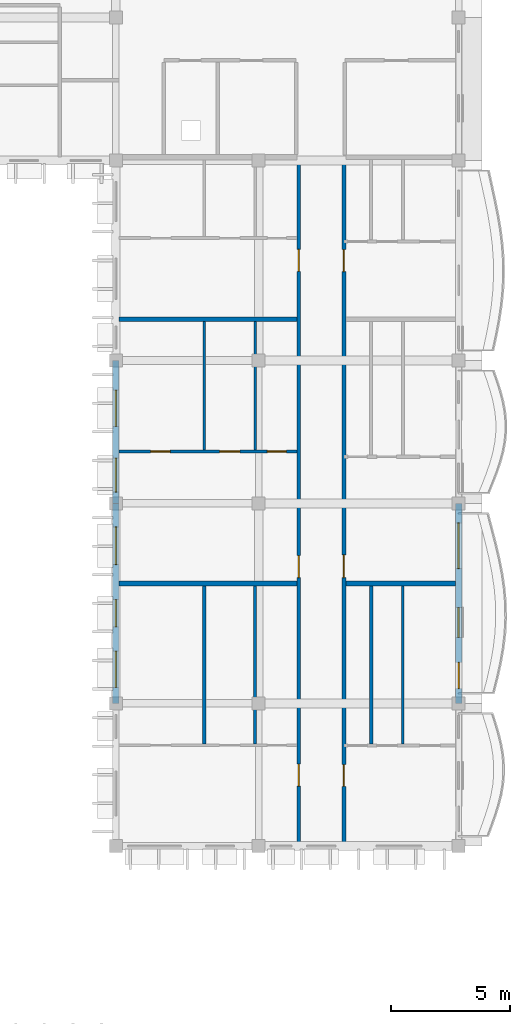
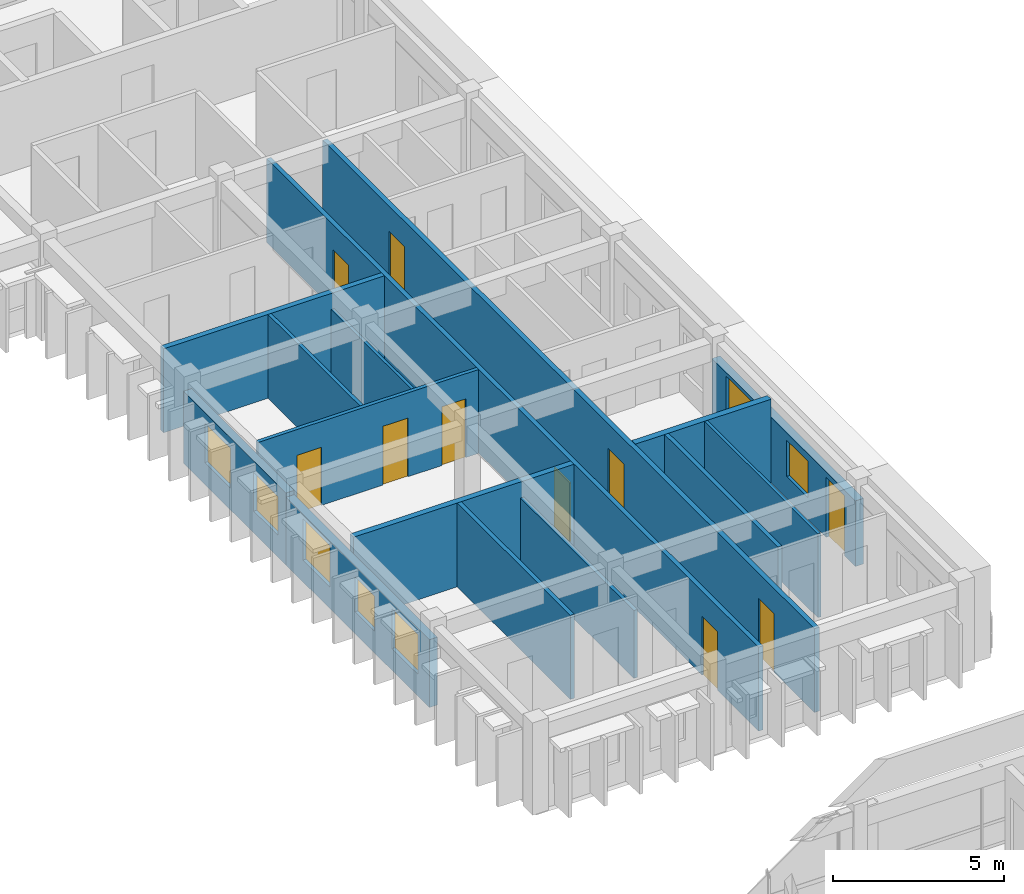
# One storey, part 31 of 59: 15 walls, 10 doors, 7 windows, 17 openings.
"""IFC4 building model written with IfcOpenShell, lengths in metres."""

from ifc_helpers import new_model, si_unit, direction, frame, frame_2d, origin, place, context, subcontext, project, spatial, rectangle, extrude, material, layer, layer_set, type_object, element, fill, save


model = new_model("IFC4")

# Units and contexts
model_context = context("Model", 3, precision=1e-05, world=origin(), true_north=direction((0.0, 1.0)))
body_context = subcontext(model_context, "Body", "Model", "MODEL_VIEW")
ifc_project = project(units=[si_unit("LENGTHUNIT", "METRE"), si_unit("AREAUNIT", "SQUARE_METRE"), si_unit("VOLUMEUNIT", "CUBIC_METRE"), si_unit("PLANEANGLEUNIT", "RADIAN"), si_unit("MASSUNIT", "GRAM", prefix="KILO"), si_unit("THERMODYNAMICTEMPERATUREUNIT", "KELVIN")], contexts=[model_context])

# Site, building, storey
site_placement = place(None, origin())
site = spatial("IfcSite", under=ifc_project, at=site_placement, CompositionType="ELEMENT")
building_placement = place(site_placement, origin())
building = spatial("IfcBuilding", under=site, at=building_placement, Name="Thalorik Housing Commons", CompositionType="ELEMENT")
storey_placement = place(building_placement, frame((0.0, 0.0, 27.89990234375)))
storey = spatial("IfcBuildingStorey", under=building, at=storey_placement, Name="L08", CompositionType="ELEMENT", Elevation=27.89990234375)

# Wall, openings, doors
ifc_material_1 = material(Name="Masonry fire-rated corridor wall", Category="masonry")
ifc_layer_1 = layer(ifc_material_1, 0.14990234375, Name="Masonry fire-rated corridor wall", Category="masonry")
ifc_layer_set_1 = layer_set([ifc_layer_1], Name="Masonry fire-rated corridor wall")
wall_type_1 = type_object("IfcWallType", Name="ARC-WAL-CORR-150", PredefinedType="PARTITIONING", material=ifc_layer_set_1)
wall_1_placement = place(storey_placement, frame((160.080078125, 80.53955078125, 0.0), z_axis=(0.0, 0.0, 1.0), x_axis=(0.0, 1.0, 0.0)))
wall_1 = element("IfcWall", 1, at=wall_1_placement, inside=storey, type_object=wall_type_1, Name="L08 Block B E Corridor Wall 1", PredefinedType="PARTITIONING", context=body_context, shape_type="SweptSolid", body=[
    extrude(rectangle(XDim=28.800537109375, YDim=0.14990234375, at=frame_2d((14.400390625, 0.0))), origin(), (0.0, 0.0, 1.0), 3.0),
])
opening_1_placement = place(wall_1_placement, frame((2.384521484375, 0.0, 0.0)))
opening_1 = element("IfcOpeningElement", 2, at=opening_1_placement, cuts=wall_1, Name="Opening ID-1376", PredefinedType="OPENING", context=body_context, shape_type="SweptSolid", body=[
    extrude(rectangle(XDim=0.919921875, YDim=2.10009765625, at=frame_2d((0.4599609375, 1.050048828125))), frame((0.0, 0.0849609375, 0.0), z_axis=(0.0, -1.0, 0.0), x_axis=(1.0, 0.0, 0.0)), (0.0, 0.0, 1.0), 0.169921875),
])
opening_2_placement = place(wall_1_placement, frame((11.140380859375, 0.0, 0.0)))
opening_2 = element("IfcOpeningElement", 3, at=opening_2_placement, cuts=wall_1, Name="Opening ID-1377", PredefinedType="OPENING", context=body_context, shape_type="SweptSolid", body=[
    extrude(rectangle(XDim=0.919921875, YDim=2.10009765625, at=frame_2d((0.4599609375, 1.050048828125))), frame((0.0, 0.0849609375, 0.0), z_axis=(0.0, -1.0, 0.0), x_axis=(1.0, 0.0, 0.0)), (0.0, 0.0, 1.0), 0.169921875),
])
opening_3_placement = place(wall_1_placement, frame((24.003173828125, 0.0, 0.0)))
opening_3 = element("IfcOpeningElement", 4, at=opening_3_placement, cuts=wall_1, Name="Opening ID-1378", PredefinedType="OPENING", context=body_context, shape_type="SweptSolid", body=[
    extrude(rectangle(XDim=0.919921875, YDim=2.10009765625, at=frame_2d((0.4599609375, 1.050048828125))), frame((0.0, 0.0849609375, 0.0), z_axis=(0.0, -1.0, 0.0), x_axis=(1.0, 0.0, 0.0)), (0.0, 0.0, 1.0), 0.169921875),
])
ifc_material_2 = material(Name="Solid core hardwood timber", Category="wood")
door_type_1 = type_object("IfcDoorType", Name="ARC-DR-FD30-920", OperationType="NOTDEFINED", PredefinedType="DOOR", material=ifc_material_2)
door_1_placement = place(opening_1_placement, origin())
door_1 = element("IfcDoor", 5, at=door_1_placement, inside=storey, type_object=door_type_1, Name="L08 Flat BE-1A Entrance Door", OperationType="SINGLE_SWING_LEFT", OverallHeight=2.10009765625, OverallWidth=0.919921875, PredefinedType="DOOR", context=body_context, shape_type="SweptSolid", body=[
    extrude(rectangle(XDim=0.919921875, YDim=2.10009765625, at=frame_2d((0.4599609375, 1.050048828125))), frame((0.0, 0.02490234375, 0.0), z_axis=(0.0, -1.0, 0.0), x_axis=(1.0, 0.0, 0.0)), (0.0, 0.0, 1.0), 0.050048828125),
])
fill(opening_1, door_1)
door_2_placement = place(opening_2_placement, origin())
door_2 = element("IfcDoor", 6, at=door_2_placement, inside=storey, type_object=door_type_1, Name="L08 Flat BE-2A Entrance Door", OperationType="SINGLE_SWING_RIGHT", OverallHeight=2.10009765625, OverallWidth=0.919921875, PredefinedType="DOOR", context=body_context, shape_type="SweptSolid", body=[
    extrude(rectangle(XDim=0.919921875, YDim=2.10009765625, at=frame_2d((0.4599609375, 1.050048828125))), frame((0.0, 0.02490234375, 0.0), z_axis=(0.0, -1.0, 0.0), x_axis=(1.0, 0.0, 0.0)), (0.0, 0.0, 1.0), 0.050048828125),
])
fill(opening_2, door_2)
door_3_placement = place(opening_3_placement, origin())
door_3 = element("IfcDoor", 7, at=door_3_placement, inside=storey, type_object=door_type_1, Name="L08 Flat BE-3A Entrance Door", OperationType="SINGLE_SWING_LEFT", OverallHeight=2.10009765625, OverallWidth=0.919921875, PredefinedType="DOOR", context=body_context, shape_type="SweptSolid", body=[
    extrude(rectangle(XDim=0.919921875, YDim=2.10009765625, at=frame_2d((0.4599609375, 1.050048828125))), frame((0.0, 0.02490234375, 0.0), z_axis=(0.0, -1.0, 0.0), x_axis=(1.0, 0.0, 0.0)), (0.0, 0.0, 1.0), 0.050048828125),
])
fill(opening_3, door_3)

ifc_layer_2 = layer(ifc_material_1, 0.1650390625, Name="Masonry fire-rated corridor wall", Category="masonry")
ifc_layer_set_2 = layer_set([ifc_layer_2], Name="Masonry fire-rated corridor wall")
wall_type_2 = type_object("IfcWallType", Name="ARC-WAL-CORR-165", PredefinedType="PARTITIONING", material=ifc_layer_set_2)
wall_2_placement = place(storey_placement, frame((161.97998046875, 80.53955078125, 0.0), z_axis=(0.0, 0.0, 1.0), x_axis=(0.0, 1.0, 0.0)))
wall_2 = element("IfcWall", 8, at=wall_2_placement, inside=storey, type_object=wall_type_2, Name="L08 Block B E Corridor Wall 2", PredefinedType="PARTITIONING", context=body_context, shape_type="SweptSolid", body=[
    extrude(rectangle(XDim=28.800537109375, YDim=0.1650390625, at=frame_2d((14.400390625, 0.0))), origin(), (0.0, 0.0, 1.0), 3.0),
])
opening_4_placement = place(wall_2_placement, frame((2.368896484375, 0.0, 0.0)))
opening_4 = element("IfcOpeningElement", 9, at=opening_4_placement, cuts=wall_2, Name="Opening ID-1379", PredefinedType="OPENING", context=body_context, shape_type="SweptSolid", body=[
    extrude(rectangle(XDim=0.919921875, YDim=2.10009765625, at=frame_2d((0.4599609375, 1.050048828125))), frame((0.0, 0.092529296875, 0.0), z_axis=(0.0, -1.0, 0.0), x_axis=(1.0, 0.0, 0.0)), (0.0, 0.0, 1.0), 0.18505859375),
])
opening_5_placement = place(wall_2_placement, frame((11.140380859375, 0.0, 0.0)))
opening_5 = element("IfcOpeningElement", 10, at=opening_5_placement, cuts=wall_2, Name="Opening ID-1380", PredefinedType="OPENING", context=body_context, shape_type="SweptSolid", body=[
    extrude(rectangle(XDim=0.9599609375, YDim=2.1201171875, at=frame_2d((0.47998046875, 1.06005859375))), frame((0.0, 0.092529296875, 0.0), z_axis=(0.0, -1.0, 0.0), x_axis=(1.0, 0.0, 0.0)), (0.0, 0.0, 1.0), 0.18505859375),
])
opening_6_placement = place(wall_2_placement, frame((23.992919921875, 0.0, 0.0)))
opening_6 = element("IfcOpeningElement", 11, at=opening_6_placement, cuts=wall_2, Name="Opening ID-1381", PredefinedType="OPENING", context=body_context, shape_type="SweptSolid", body=[
    extrude(rectangle(XDim=0.919921875, YDim=2.10009765625, at=frame_2d((0.4599609375, 1.050048828125))), frame((0.0, 0.092529296875, 0.0), z_axis=(0.0, -1.0, 0.0), x_axis=(1.0, 0.0, 0.0)), (0.0, 0.0, 1.0), 0.18505859375),
])
door_4_placement = place(opening_4_placement, origin())
door_4 = element("IfcDoor", 12, at=door_4_placement, inside=storey, type_object=door_type_1, Name="L08 Flat BE-1B Entrance Door", OperationType="SINGLE_SWING_RIGHT", OverallHeight=2.10009765625, OverallWidth=0.919921875, PredefinedType="DOOR", context=body_context, shape_type="SweptSolid", body=[
    extrude(rectangle(XDim=0.919921875, YDim=2.10009765625, at=frame_2d((0.4599609375, 1.050048828125))), frame((0.0, 0.02490234375, 0.0), z_axis=(0.0, -1.0, 0.0), x_axis=(1.0, 0.0, 0.0)), (0.0, 0.0, 1.0), 0.050048828125),
])
fill(opening_4, door_4)
door_5_placement = place(opening_6_placement, origin())
door_5 = element("IfcDoor", 13, at=door_5_placement, inside=storey, type_object=door_type_1, Name="L08 Flat BE-3B Entrance Door", OperationType="SINGLE_SWING_RIGHT", OverallHeight=2.10009765625, OverallWidth=0.919921875, PredefinedType="DOOR", context=body_context, shape_type="SweptSolid", body=[
    extrude(rectangle(XDim=0.919921875, YDim=2.10009765625, at=frame_2d((0.4599609375, 1.050048828125))), frame((0.0, 0.02490234375, 0.0), z_axis=(0.0, -1.0, 0.0), x_axis=(1.0, 0.0, 0.0)), (0.0, 0.0, 1.0), 0.050048828125),
])
fill(opening_6, door_5)
door_type_2 = type_object("IfcDoorType", Name="ARC-DR-FD30-960", OperationType="NOTDEFINED", PredefinedType="DOOR", material=ifc_material_2)
door_6_placement = place(opening_5_placement, origin())
door_6 = element("IfcDoor", 14, at=door_6_placement, inside=storey, type_object=door_type_2, Name="L08 Flat BE-2B Entrance Door", OperationType="SINGLE_SWING_LEFT", OverallHeight=2.1201171875, OverallWidth=0.9599609375, PredefinedType="DOOR", context=body_context, shape_type="SweptSolid", body=[
    extrude(rectangle(XDim=0.9599609375, YDim=2.1201171875, at=frame_2d((0.47998046875, 1.06005859375))), frame((0.0, 0.02490234375, 0.0), z_axis=(0.0, -1.0, 0.0), x_axis=(1.0, 0.0, 0.0)), (0.0, 0.0, 1.0), 0.050048828125),
])
fill(opening_5, door_6)

# Wall, openings, windows
ifc_material_3 = material(Name="White precast concrete C40/50", Category="concrete")
ifc_layer_3 = layer(ifc_material_3, 0.27490234375, Name="White precast concrete C40/50", Category="concrete")
ifc_layer_set_3 = layer_set([ifc_layer_3], Name="White precast concrete C40/50")
wall_type_3 = type_object("IfcWallType", Name="ARC-WAL-EXT-275", PredefinedType="STANDARD", material=ifc_layer_set_3)
wall_3_placement = place(storey_placement, frame((152.39990234375, 100.800048828125, 0.0), z_axis=(0.0, 0.0, 1.0), x_axis=(0.0, -1.0, 0.0)))
wall_3 = element("IfcWall", 15, at=wall_3_placement, inside=storey, type_object=wall_type_3, Name="L08 Exterior Wall WAL-EXT-L08-B-0698", PredefinedType="STANDARD", context=body_context, shape_type="SweptSolid", body=[
    extrude(rectangle(XDim=6.0, YDim=0.27490234375, at=frame_2d((3.0, 0.0))), origin(), (0.0, 0.0, 1.0), 2.5751953125),
])
opening_7_placement = place(wall_3_placement, frame((1.2451171875, 0.0, 0.780029296875)))
opening_7 = element("IfcOpeningElement", 16, at=opening_7_placement, cuts=wall_3, Name="Opening W-52", PredefinedType="OPENING", context=body_context, shape_type="SweptSolid", body=[
    extrude(rectangle(XDim=1.52001953125, YDim=1.419921875, at=frame_2d((0.760009765625, 0.7099609375))), frame((0.0, 0.1474609375, 0.0), z_axis=(0.0, -1.0, 0.0), x_axis=(1.0, 0.0, 0.0)), (0.0, 0.0, 1.0), 0.294921875),
])
opening_8_placement = place(wall_3_placement, frame((4.10498046875, 0.0, 0.780029296875)))
opening_8 = element("IfcOpeningElement", 17, at=opening_8_placement, cuts=wall_3, Name="Opening W-50", PredefinedType="OPENING", context=body_context, shape_type="SweptSolid", body=[
    extrude(rectangle(XDim=1.419921875, YDim=1.3798828125, at=frame_2d((0.7099609375, 0.68994140625))), frame((0.0, 0.1474609375, 0.0), z_axis=(0.0, -1.0, 0.0), x_axis=(1.0, 0.0, 0.0)), (0.0, 0.0, 1.0), 0.294921875),
])
ifc_material_4 = material(Name="Anodised aluminium and solar-control low-E glass", Category="aluminium")
window_type_1 = type_object("IfcWindowType", Name="ARC-WIN-50", PartitioningType="SINGLE_PANEL", PredefinedType="WINDOW", material=ifc_material_4)
window_1_placement = place(opening_8_placement, origin())
window_1 = element("IfcWindow", 18, at=window_1_placement, inside=storey, type_object=window_type_1, Name="L08 Facade Window 1282", OverallHeight=1.3798828125, OverallWidth=1.419921875, PartitioningType="SINGLE_PANEL", PredefinedType="WINDOW", context=body_context, shape_type="SweptSolid", body=[
    extrude(rectangle(XDim=1.419921875, YDim=1.3798828125, at=frame_2d((0.7099609375, 0.68994140625))), frame((0.0, 0.030029296875, 0.0), z_axis=(0.0, -1.0, 0.0), x_axis=(1.0, 0.0, 0.0)), (0.0, 0.0, 1.0), 0.06005859375),
])
fill(opening_8, window_1)
window_type_2 = type_object("IfcWindowType", Name="ARC-WIN-52", PartitioningType="SINGLE_PANEL", PredefinedType="WINDOW", material=ifc_material_4)
window_2_placement = place(opening_7_placement, origin())
window_2 = element("IfcWindow", 19, at=window_2_placement, inside=storey, type_object=window_type_2, Name="L08 Facade Window 1281", OverallHeight=1.419921875, OverallWidth=1.52001953125, PartitioningType="SINGLE_PANEL", PredefinedType="WINDOW", context=body_context, shape_type="SweptSolid", body=[
    extrude(rectangle(XDim=1.52001953125, YDim=1.419921875, at=frame_2d((0.760009765625, 0.7099609375))), frame((0.0, 0.030029296875, 0.0), z_axis=(0.0, -1.0, 0.0), x_axis=(1.0, 0.0, 0.0)), (0.0, 0.0, 1.0), 0.06005859375),
])
fill(opening_7, window_2)

wall_4_placement = place(storey_placement, frame((152.39990234375, 94.800048828125, 0.0), z_axis=(0.0, 0.0, 1.0), x_axis=(0.0, -1.0, 0.0)))
wall_4 = element("IfcWall", 20, at=wall_4_placement, inside=storey, type_object=wall_type_3, Name="L08 Exterior Wall WAL-EXT-L08-B-0699", PredefinedType="STANDARD", context=body_context, shape_type="SweptSolid", body=[
    extrude(rectangle(XDim=8.400146484375, YDim=0.27490234375, at=frame_2d((4.2001953125, 0.0))), origin(), (0.0, 0.0, 1.0), 2.425048828125),
])
opening_9_placement = place(wall_4_placement, frame((0.989990234375, 0.0, 0.780029296875)))
opening_9 = element("IfcOpeningElement", 21, at=opening_9_placement, cuts=wall_4, Name="Opening W-53", PredefinedType="OPENING", context=body_context, shape_type="SweptSolid", body=[
    extrude(rectangle(XDim=1.580078125, YDim=1.47998046875, at=frame_2d((0.7900390625, 0.739990234375))), frame((0.0, 0.1474609375, 0.0), z_axis=(0.0, -1.0, 0.0), x_axis=(1.0, 0.0, 0.0)), (0.0, 0.0, 1.0), 0.294921875),
])
opening_10_placement = place(wall_4_placement, frame((4.0400390625, 0.0, 0.780029296875)))
opening_10 = element("IfcOpeningElement", 22, at=opening_10_placement, cuts=wall_4, Name="Opening W-45", PredefinedType="OPENING", context=body_context, shape_type="SweptSolid", body=[
    extrude(rectangle(XDim=1.14990234375, YDim=1.25, at=frame_2d((0.574951171875, 0.625))), frame((0.0, 0.1474609375, 0.0), z_axis=(0.0, -1.0, 0.0), x_axis=(1.0, 0.0, 0.0)), (0.0, 0.0, 1.0), 0.294921875),
])
opening_11_placement = place(wall_4_placement, frame((6.205078125, 0.0, 0.780029296875)))
opening_11 = element("IfcOpeningElement", 23, at=opening_11_placement, cuts=wall_4, Name="Opening W-52", PredefinedType="OPENING", context=body_context, shape_type="SweptSolid", body=[
    extrude(rectangle(XDim=1.52001953125, YDim=1.419921875, at=frame_2d((0.760009765625, 0.7099609375))), frame((0.0, 0.1474609375, 0.0), z_axis=(0.0, -1.0, 0.0), x_axis=(1.0, 0.0, 0.0)), (0.0, 0.0, 1.0), 0.294921875),
])
window_type_3 = type_object("IfcWindowType", Name="ARC-WIN-45", PartitioningType="SINGLE_PANEL", PredefinedType="WINDOW", material=ifc_material_4)
window_3_placement = place(opening_10_placement, origin())
window_3 = element("IfcWindow", 24, at=window_3_placement, inside=storey, type_object=window_type_3, Name="L08 Facade Window 1284", OverallHeight=1.25, OverallWidth=1.14990234375, PartitioningType="SINGLE_PANEL", PredefinedType="WINDOW", context=body_context, shape_type="SweptSolid", body=[
    extrude(rectangle(XDim=1.14990234375, YDim=1.25, at=frame_2d((0.574951171875, 0.625))), frame((0.0, 0.030029296875, 0.0), z_axis=(0.0, -1.0, 0.0), x_axis=(1.0, 0.0, 0.0)), (0.0, 0.0, 1.0), 0.06005859375),
])
fill(opening_10, window_3)
window_4_placement = place(opening_11_placement, origin())
window_4 = element("IfcWindow", 25, at=window_4_placement, inside=storey, type_object=window_type_2, Name="L08 Facade Window 1285", OverallHeight=1.419921875, OverallWidth=1.52001953125, PartitioningType="SINGLE_PANEL", PredefinedType="WINDOW", context=body_context, shape_type="SweptSolid", body=[
    extrude(rectangle(XDim=1.52001953125, YDim=1.419921875, at=frame_2d((0.760009765625, 0.7099609375))), frame((0.0, 0.030029296875, 0.0), z_axis=(0.0, -1.0, 0.0), x_axis=(1.0, 0.0, 0.0)), (0.0, 0.0, 1.0), 0.06005859375),
])
fill(opening_11, window_4)
window_type_4 = type_object("IfcWindowType", Name="ARC-WIN-53", PartitioningType="SINGLE_PANEL", PredefinedType="WINDOW", material=ifc_material_4)
window_5_placement = place(opening_9_placement, origin())
window_5 = element("IfcWindow", 26, at=window_5_placement, inside=storey, type_object=window_type_4, Name="L08 Facade Window 1283", OverallHeight=1.47998046875, OverallWidth=1.580078125, PartitioningType="SINGLE_PANEL", PredefinedType="WINDOW", context=body_context, shape_type="SweptSolid", body=[
    extrude(rectangle(XDim=1.580078125, YDim=1.47998046875, at=frame_2d((0.7900390625, 0.739990234375))), frame((0.0, 0.030029296875, 0.0), z_axis=(0.0, -1.0, 0.0), x_axis=(1.0, 0.0, 0.0)), (0.0, 0.0, 1.0), 0.06005859375),
])
fill(opening_9, window_5)

# Wall, openings, door, windows
wall_5_placement = place(storey_placement, frame((166.800048828125, 86.39990234375, 0.0), z_axis=(0.0, 0.0, 1.0), x_axis=(0.0, 1.0, 0.0)))
wall_5 = element("IfcWall", 27, at=wall_5_placement, inside=storey, type_object=wall_type_3, Name="L08 Exterior Wall WAL-EXT-L08-B-0704", PredefinedType="STANDARD", context=body_context, shape_type="SweptSolid", body=[
    extrude(rectangle(XDim=8.400146484375, YDim=0.27490234375, at=frame_2d((4.2001953125, 0.0))), origin(), (0.0, 0.0, 1.0), 2.34521484375),
])
opening_12_placement = place(wall_5_placement, frame((0.6201171875, 0.0, 0.0)))
opening_12 = element("IfcOpeningElement", 28, at=opening_12_placement, cuts=wall_5, Name="Opening ED-0233", PredefinedType="OPENING", context=body_context, shape_type="SweptSolid", body=[
    extrude(rectangle(XDim=1.10009765625, YDim=2.14990234375, at=frame_2d((0.550048828125, 1.074951171875))), frame((0.0, 0.1474609375, 0.0), z_axis=(0.0, -1.0, 0.0), x_axis=(1.0, 0.0, 0.0)), (0.0, 0.0, 1.0), 0.294921875),
])
opening_13_placement = place(wall_5_placement, frame((2.77490234375, 0.0, 0.780029296875)))
opening_13 = element("IfcOpeningElement", 29, at=opening_13_placement, cuts=wall_5, Name="Opening W-46", PredefinedType="OPENING", context=body_context, shape_type="SweptSolid", body=[
    extrude(rectangle(XDim=1.25, YDim=1.300048828125, at=frame_2d((0.625, 0.64990234375))), frame((0.0, 0.1474609375, 0.0), z_axis=(0.0, -1.0, 0.0), x_axis=(1.0, 0.0, 0.0)), (0.0, 0.0, 1.0), 0.294921875),
])
opening_14_placement = place(wall_5_placement, frame((5.659912109375, 0.0, 0.780029296875)))
opening_14 = element("IfcOpeningElement", 30, at=opening_14_placement, cuts=wall_5, Name="Opening W-60", PredefinedType="OPENING", context=body_context, shape_type="SweptSolid", body=[
    extrude(rectangle(XDim=1.919921875, YDim=1.43994140625, at=frame_2d((0.9599609375, 0.719970703125))), frame((0.0, 0.1474609375, 0.0), z_axis=(0.0, -1.0, 0.0), x_axis=(1.0, 0.0, 0.0)), (0.0, 0.0, 1.0), 0.294921875),
])
ifc_material_5 = material(Name="Anodised aluminium and laminated safety glass", Category="aluminium")
door_type_3 = type_object("IfcDoorType", Name="ARC-DR-BAL-1100", OperationType="NOTDEFINED", PredefinedType="DOOR", material=ifc_material_5)
door_7_placement = place(opening_12_placement, frame((1.10009765625, 0.0, 0.0), z_axis=(0.0, 0.0, 1.0), x_axis=(-1.0, 0.0, 0.0)))
door_7 = element("IfcDoor", 31, at=door_7_placement, inside=storey, type_object=door_type_3, Name="L08 Block B Balcony Glazed Door", OperationType="SINGLE_SWING_RIGHT", OverallHeight=2.14990234375, OverallWidth=1.10009765625, PredefinedType="DOOR", context=body_context, shape_type="SweptSolid", body=[
    extrude(rectangle(XDim=1.10009765625, YDim=2.14990234375, at=frame_2d((0.550048828125, 1.074951171875))), frame((0.0, 0.02490234375, 0.0), z_axis=(0.0, -1.0, 0.0), x_axis=(1.0, 0.0, 0.0)), (0.0, 0.0, 1.0), 0.050048828125),
])
fill(opening_12, door_7)
window_type_5 = type_object("IfcWindowType", Name="ARC-WIN-46", PartitioningType="SINGLE_PANEL", PredefinedType="WINDOW", material=ifc_material_4)
window_6_placement = place(opening_13_placement, origin())
window_6 = element("IfcWindow", 32, at=window_6_placement, inside=storey, type_object=window_type_5, Name="L08 Facade Window 1295", OverallHeight=1.300048828125, OverallWidth=1.25, PartitioningType="SINGLE_PANEL", PredefinedType="WINDOW", context=body_context, shape_type="SweptSolid", body=[
    extrude(rectangle(XDim=1.25, YDim=1.300048828125, at=frame_2d((0.625, 0.64990234375))), frame((0.0, 0.030029296875, 0.0), z_axis=(0.0, -1.0, 0.0), x_axis=(1.0, 0.0, 0.0)), (0.0, 0.0, 1.0), 0.06005859375),
])
fill(opening_13, window_6)
window_type_6 = type_object("IfcWindowType", Name="ARC-WIN-60", PartitioningType="DOUBLE_PANEL_VERTICAL", PredefinedType="WINDOW", material=ifc_material_4)
window_7_placement = place(opening_14_placement, origin())
window_7 = element("IfcWindow", 33, at=window_7_placement, inside=storey, type_object=window_type_6, Name="L08 Facade Window 1296", OverallHeight=1.43994140625, OverallWidth=1.919921875, PartitioningType="DOUBLE_PANEL_VERTICAL", PredefinedType="WINDOW", context=body_context, shape_type="SweptSolid", body=[
    extrude(rectangle(XDim=1.919921875, YDim=1.43994140625, at=frame_2d((0.9599609375, 0.719970703125))), frame((0.0, 0.030029296875, 0.0), z_axis=(0.0, -1.0, 0.0), x_axis=(1.0, 0.0, 0.0)), (0.0, 0.0, 1.0), 0.06005859375),
])
fill(opening_14, window_7)

# Walls
ifc_material_6 = material(Name="Gypsum light stud partition", Category="masonry")
ifc_layer_4 = layer(ifc_material_6, 0.10009765625, Name="Gypsum light stud partition", Category="masonry")
ifc_layer_set_4 = layer_set([ifc_layer_4], Name="Gypsum light stud partition")
wall_type_4 = type_object("IfcWallType", Name="ARC-WAL-PART-100", PredefinedType="PARTITIONING", material=ifc_layer_set_4)
wall_6_placement = place(storey_placement, frame((164.455078125, 84.68505859375, 0.0), z_axis=(0.0, 0.0, 1.0), x_axis=(0.0, 1.0, 0.0)))
element("IfcWall", 34, at=wall_6_placement, inside=storey, type_object=wall_type_4, Name="L08 Unit 1B Bedroom Partition", PredefinedType="PARTITIONING", context=body_context, shape_type="SweptSolid", body=[
    extrude(rectangle(XDim=6.633056640625, YDim=0.10009765625, at=frame_2d((3.31640625, 0.0))), origin(), (0.0, 0.0, 1.0), 3.0),
])
wall_7_placement = place(storey_placement, frame((158.251220703125, 97.04443359375, 0.0), z_axis=(0.0, 0.0, 1.0), x_axis=(0.0, 1.0, 0.0)))
element("IfcWall", 35, at=wall_7_placement, inside=storey, type_object=wall_type_4, Name="L08 Unit 2 Wet Wall", PredefinedType="PARTITIONING", context=body_context, shape_type="SweptSolid", body=[
    extrude(rectangle(XDim=5.39111328125, YDim=0.10009765625, at=frame_2d((2.695556640625, 0.0))), origin(), (0.0, 0.0, 1.0), 2.425048828125),
])
ifc_material_7 = material(Name="Gypsum moisture-resistant partition", Category="masonry")
ifc_layer_5 = layer(ifc_material_7, 0.114990234375, Name="Gypsum moisture-resistant partition", Category="masonry")
ifc_layer_set_5 = layer_set([ifc_layer_5], Name="Gypsum moisture-resistant partition")
wall_type_5 = type_object("IfcWallType", Name="ARC-WAL-PART-115", PredefinedType="PARTITIONING", material=ifc_layer_set_5)
wall_8_placement = place(storey_placement, frame((156.11767578125, 97.04443359375, 0.0), z_axis=(0.0, 0.0, 1.0), x_axis=(0.0, 1.0, 0.0)))
element("IfcWall", 36, at=wall_8_placement, inside=storey, type_object=wall_type_5, Name="L08 Unit 2 Bedroom Partition", PredefinedType="PARTITIONING", context=body_context, shape_type="SweptSolid", body=[
    extrude(rectangle(XDim=5.39111328125, YDim=0.114990234375, at=frame_2d((2.695556640625, 0.0))), origin(), (0.0, 0.0, 1.0), 3.0),
])
ifc_material_8 = material(Name="Gypsum acoustic stud partition", Category="masonry")
ifc_layer_6 = layer(ifc_material_8, 0.125, Name="Gypsum acoustic stud partition", Category="masonry")
ifc_layer_set_6 = layer_set([ifc_layer_6], Name="Gypsum acoustic stud partition")
wall_type_6 = type_object("IfcWallType", Name="ARC-WAL-PART-125", PredefinedType="PARTITIONING", material=ifc_layer_set_6)
wall_9_placement = place(storey_placement, frame((158.251220703125, 84.697021484375, 0.0), z_axis=(0.0, 0.0, 1.0), x_axis=(0.0, 1.0, 0.0)))
element("IfcWall", 37, at=wall_9_placement, inside=storey, type_object=wall_type_6, Name="L08 Unit 1 Wet Wall", PredefinedType="PARTITIONING", context=body_context, shape_type="SweptSolid", body=[
    extrude(rectangle(XDim=6.630859375, YDim=0.125, at=frame_2d((3.3154296875, 0.0))), origin(), (0.0, 0.0, 1.0), 2.425048828125),
])

# Wall, openings, doors
wall_10_placement = place(storey_placement, frame((152.53955078125, 96.97998046875, 0.0), z_axis=(0.0, 0.0, 1.0), x_axis=(1.0, 0.0, 0.0)))
wall_10 = element("IfcWall", 38, at=wall_10_placement, inside=storey, type_object=wall_type_6, Name="L08 Unit 2 Spine Partition", PredefinedType="PARTITIONING", context=body_context, shape_type="SweptSolid", body=[
    extrude(rectangle(XDim=7.46337890625, YDim=0.125, at=frame_2d((3.731689453125, 0.0))), origin(), (0.0, 0.0, 1.0), 3.0),
])
opening_15_placement = place(wall_10_placement, frame((1.32421875, 0.0, 0.0)))
opening_15 = element("IfcOpeningElement", 39, at=opening_15_placement, cuts=wall_10, Name="Opening ID-1364", PredefinedType="OPENING", context=body_context, shape_type="SweptSolid", body=[
    extrude(rectangle(XDim=0.820068359375, YDim=2.080078125, at=frame_2d((0.41015625, 1.0400390625))), frame((0.0, 0.072509765625, 0.0), z_axis=(0.0, -1.0, 0.0), x_axis=(1.0, 0.0, 0.0)), (0.0, 0.0, 1.0), 0.14501953125),
])
opening_16_placement = place(wall_10_placement, frame((4.219970703125, 0.0, 0.0)))
opening_16 = element("IfcOpeningElement", 40, at=opening_16_placement, cuts=wall_10, Name="Opening ID-1365", PredefinedType="OPENING", context=body_context, shape_type="SweptSolid", body=[
    extrude(rectangle(XDim=0.85009765625, YDim=2.10009765625, at=frame_2d((0.425048828125, 1.050048828125))), frame((0.0, 0.072509765625, 0.0), z_axis=(0.0, -1.0, 0.0), x_axis=(1.0, 0.0, 0.0)), (0.0, 0.0, 1.0), 0.14501953125),
])
opening_17_placement = place(wall_10_placement, frame((6.22607421875, 0.0, 0.0)))
opening_17 = element("IfcOpeningElement", 41, at=opening_17_placement, cuts=wall_10, Name="Opening ID-1366", PredefinedType="OPENING", context=body_context, shape_type="SweptSolid", body=[
    extrude(rectangle(XDim=0.800048828125, YDim=2.10009765625, at=frame_2d((0.39990234375, 1.050048828125))), frame((0.0, 0.072509765625, 0.0), z_axis=(0.0, -1.0, 0.0), x_axis=(1.0, 0.0, 0.0)), (0.0, 0.0, 1.0), 0.14501953125),
])
ifc_material_9 = material(Name="Moisture-resistant timber", Category="wood")
door_type_4 = type_object("IfcDoorType", Name="ARC-DR-INT-800", OperationType="NOTDEFINED", PredefinedType="DOOR", material=ifc_material_9)
door_8_placement = place(opening_17_placement, origin())
door_8 = element("IfcDoor", 42, at=door_8_placement, inside=storey, type_object=door_type_4, Name="L08 Flat Bathroom Door", OperationType="SINGLE_SWING_LEFT", OverallHeight=2.10009765625, OverallWidth=0.800048828125, PredefinedType="DOOR", context=body_context, shape_type="SweptSolid", body=[
    extrude(rectangle(XDim=0.800048828125, YDim=2.10009765625, at=frame_2d((0.39990234375, 1.050048828125))), frame((0.0, 0.02490234375, 0.0), z_axis=(0.0, -1.0, 0.0), x_axis=(1.0, 0.0, 0.0)), (0.0, 0.0, 1.0), 0.050048828125),
])
fill(opening_17, door_8)
ifc_material_10 = material(Name="Engineered oak timber", Category="wood")
door_type_5 = type_object("IfcDoorType", Name="ARC-DR-INT-820", OperationType="NOTDEFINED", PredefinedType="DOOR", material=ifc_material_10)
door_9_placement = place(opening_15_placement, origin())
door_9 = element("IfcDoor", 43, at=door_9_placement, inside=storey, type_object=door_type_5, Name="L08 Double Bedroom Door", OperationType="SINGLE_SWING_LEFT", OverallHeight=2.080078125, OverallWidth=0.820068359375, PredefinedType="DOOR", context=body_context, shape_type="SweptSolid", body=[
    extrude(rectangle(XDim=0.820068359375, YDim=2.080078125, at=frame_2d((0.41015625, 1.0400390625))), frame((0.0, 0.02490234375, 0.0), z_axis=(0.0, -1.0, 0.0), x_axis=(1.0, 0.0, 0.0)), (0.0, 0.0, 1.0), 0.050048828125),
])
fill(opening_15, door_9)
door_type_6 = type_object("IfcDoorType", Name="ARC-DR-INT-850", OperationType="NOTDEFINED", PredefinedType="DOOR", material=ifc_material_10)
door_10_placement = place(opening_16_placement, origin())
door_10 = element("IfcDoor", 44, at=door_10_placement, inside=storey, type_object=door_type_6, Name="L08 Galley Kitchen Door", OperationType="SINGLE_SWING_RIGHT", OverallHeight=2.10009765625, OverallWidth=0.85009765625, PredefinedType="DOOR", context=body_context, shape_type="SweptSolid", body=[
    extrude(rectangle(XDim=0.85009765625, YDim=2.10009765625, at=frame_2d((0.425048828125, 1.050048828125))), frame((0.0, 0.02490234375, 0.0), z_axis=(0.0, -1.0, 0.0), x_axis=(1.0, 0.0, 0.0)), (0.0, 0.0, 1.0), 0.050048828125),
])
fill(opening_16, door_10)

# Walls
ifc_material_11 = material(Name="Ceramic masonry partition wall", Category="masonry")
ifc_layer_7 = layer(ifc_material_11, 0.139892578125, Name="Ceramic masonry partition wall", Category="masonry")
ifc_layer_set_7 = layer_set([ifc_layer_7], Name="Ceramic masonry partition wall")
wall_type_7 = type_object("IfcWallType", Name="ARC-WAL-PART-140", PredefinedType="PARTITIONING", material=ifc_layer_set_7)
wall_11_placement = place(storey_placement, frame((156.11767578125, 84.697021484375, 0.0), z_axis=(0.0, 0.0, 1.0), x_axis=(0.0, 1.0, 0.0)))
element("IfcWall", 45, at=wall_11_placement, inside=storey, type_object=wall_type_7, Name="L08 Unit 1 Bedroom Partition", PredefinedType="PARTITIONING", context=body_context, shape_type="SweptSolid", body=[
    extrude(rectangle(XDim=6.630859375, YDim=0.139892578125, at=frame_2d((3.3154296875, 0.0))), origin(), (0.0, 0.0, 1.0), 3.0),
])
wall_12_placement = place(storey_placement, frame((163.122314453125, 84.68505859375, 0.0), z_axis=(0.0, 0.0, 1.0), x_axis=(0.0, 1.0, 0.0)))
element("IfcWall", 46, at=wall_12_placement, inside=storey, type_object=wall_type_7, Name="L08 Unit 1B Wet Wall", PredefinedType="PARTITIONING", context=body_context, shape_type="SweptSolid", body=[
    extrude(rectangle(XDim=6.633056640625, YDim=0.139892578125, at=frame_2d((3.31640625, 0.0))), origin(), (0.0, 0.0, 1.0), 3.0),
])
ifc_material_12 = material(Name="Masonry acoustic blockwork wall", Category="masonry")
ifc_layer_8 = layer(ifc_material_12, 0.18505859375, Name="Masonry acoustic blockwork wall", Category="masonry")
ifc_layer_set_8 = layer_set([ifc_layer_8], Name="Masonry acoustic blockwork wall")
wall_type_8 = type_object("IfcWallType", Name="ARC-WAL-PARTY-185", PredefinedType="PARTITIONING", material=ifc_layer_set_8)
wall_13_placement = place(storey_placement, frame((152.53955078125, 102.530029296875, 0.0), z_axis=(0.0, 0.0, 1.0), x_axis=(1.0, 0.0, 0.0)))
element("IfcWall", 47, at=wall_13_placement, inside=storey, type_object=wall_type_8, Name="L08 Inter-Tenancy Wall 2A", PredefinedType="PARTITIONING", context=body_context, shape_type="SweptSolid", body=[
    extrude(rectangle(XDim=7.46337890625, YDim=0.18505859375, at=frame_2d((3.731689453125, 0.0))), origin(), (0.0, 0.0, 1.0), 3.0),
])
ifc_material_13 = material(Name="Precast concrete C40/50 acoustic wall", Category="concrete")
ifc_layer_9 = layer(ifc_material_13, 0.199951171875, Name="Precast concrete C40/50 acoustic wall", Category="concrete")
ifc_layer_set_9 = layer_set([ifc_layer_9], Name="Precast concrete C40/50 acoustic wall")
wall_type_9 = type_object("IfcWallType", Name="ARC-WAL-PARTY-200", PredefinedType="PARTITIONING", material=ifc_layer_set_9)
wall_14_placement = place(storey_placement, frame((152.53955078125, 91.429931640625, 0.0), z_axis=(0.0, 0.0, 1.0), x_axis=(1.0, 0.0, 0.0)))
element("IfcWall", 48, at=wall_14_placement, inside=storey, type_object=wall_type_9, Name="L08 Inter-Tenancy Wall 1A", PredefinedType="PARTITIONING", context=body_context, shape_type="SweptSolid", body=[
    extrude(rectangle(XDim=7.46337890625, YDim=0.199951171875, at=frame_2d((3.731689453125, 0.0))), origin(), (0.0, 0.0, 1.0), 3.0),
])
ifc_layer_10 = layer(ifc_material_13, 0.219970703125, Name="Precast concrete C40/50 acoustic wall", Category="concrete")
ifc_layer_set_10 = layer_set([ifc_layer_10], Name="Precast concrete C40/50 acoustic wall")
wall_type_10 = type_object("IfcWallType", Name="ARC-WAL-PARTY-220", PredefinedType="PARTITIONING", material=ifc_layer_set_10)
wall_15_placement = place(storey_placement, frame((162.064453125, 91.429931640625, 0.0), z_axis=(0.0, 0.0, 1.0), x_axis=(1.0, 0.0, 0.0)))
element("IfcWall", 49, at=wall_15_placement, inside=storey, type_object=wall_type_10, Name="L08 Inter-Tenancy Wall 1B", PredefinedType="PARTITIONING", context=body_context, shape_type="SweptSolid", body=[
    extrude(rectangle(XDim=4.595947265625, YDim=0.219970703125, at=frame_2d((2.2978515625, 0.0))), origin(), (0.0, 0.0, 1.0), 3.0),
])

save(model, "model.ifc")
